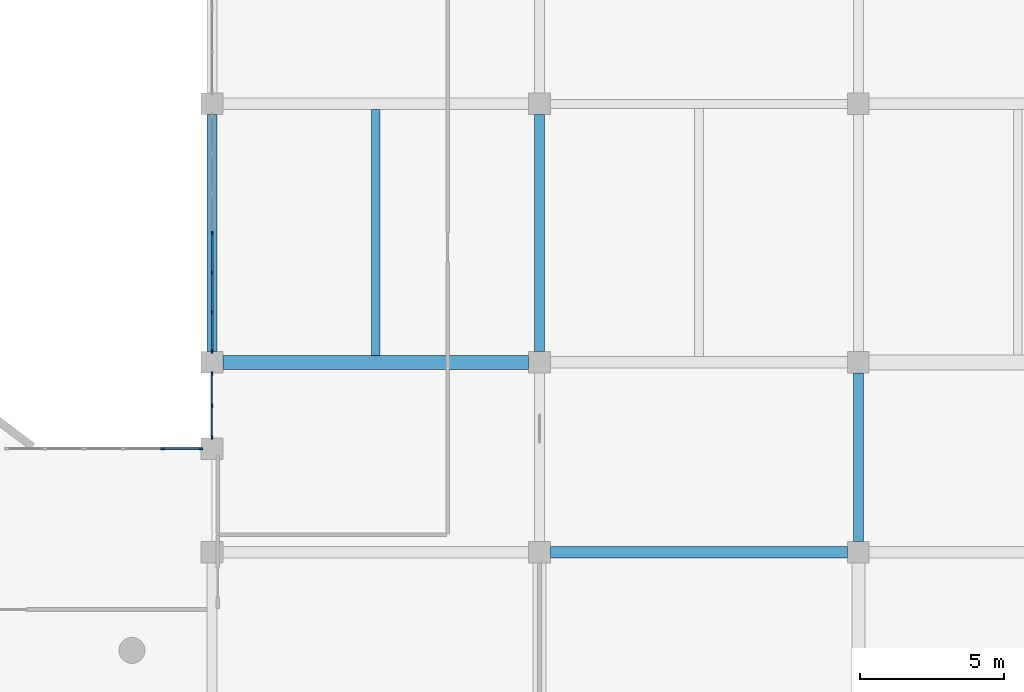
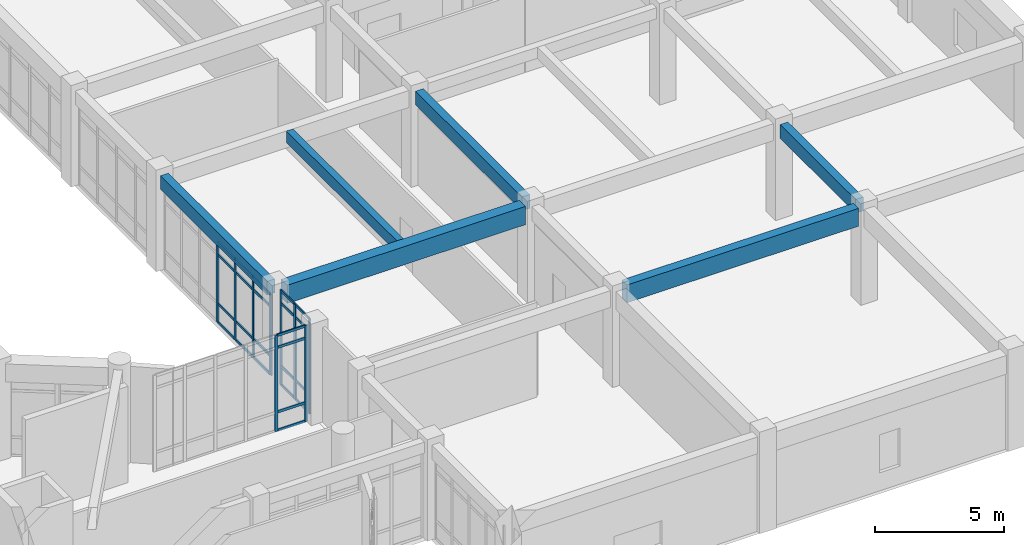
# One storey, part 26 of 68: 33 members, 6 beams, 3 elements without a shape of their own.
"""IFC4 building model written with IfcOpenShell, lengths in metres."""

import ifcopenshell
import ifcopenshell.guid

model = None  # the IFC model being written
_history = None  # IfcOwnerHistory: only IFC2X3 demands one
_inside = {}  # id of a spatial element -> (the spatial element, [elements in it])
_under = {}  # id of a project, library or spatial element -> (it, [spatial elements below it])
_declared = {}  # id of a project -> (the project, [libraries it declares])
_typed = {}  # id of a type object -> (the type object, [elements of that type])
_made_of = {}  # id of a material, layer set ... -> (it, [elements and type objects made of it])


def new_model(schema):
    """Start an empty IFC model of exactly this schema.

    Asked for "IFC4X3", IfcOpenShell would pick the latest addendum, in which some entities
    have other attributes; the version numbers below select the first issue.
    IFC2X3 requires an IfcOwnerHistory on every rooted entity: one is made here for all.
    """
    global model, _history
    if schema == "IFC4X3":
        model = ifcopenshell.file(schema_version=(4, 3, 0, 0))
    else:
        model = ifcopenshell.file(schema=schema)
    _inside.clear()
    _under.clear()
    _declared.clear()
    _typed.clear()
    _made_of.clear()
    _history = None
    if model.schema == "IFC2X3":
        org = make("IfcOrganization", Name="unknown")
        user = make(
            "IfcPersonAndOrganization",
            ThePerson=make("IfcPerson", FamilyName="unknown"),
            TheOrganization=org,
        )
        app = make(
            "IfcApplication",
            ApplicationDeveloper=org,
            Version="unknown",
            ApplicationFullName="unknown",
            ApplicationIdentifier="unknown",
        )
        _history = make(
            "IfcOwnerHistory",
            OwningUser=user,
            OwningApplication=app,
            ChangeAction="ADDED",
            CreationDate=0,
        )
    return model


def make(cls, **values):
    """One entity of the class cls with the attributes given. An attribute that is None is left unset."""
    return model.create_entity(
        cls, **{name: value for name, value in values.items() if value is not None}
    )


def rooted(cls, **values):
    """An entity with a GlobalId (a new one), such as an element, a storey or a relation."""
    return make(cls, GlobalId=ifcopenshell.guid.new(), OwnerHistory=_history, **values)


def si_unit(unit_type, name, prefix=None):
    """IfcSIUnit, for example si_unit("LENGTHUNIT", "METRE", prefix="MILLI")."""
    return make("IfcSIUnit", UnitType=unit_type, Prefix=prefix, Name=name)


def assignment(units):
    """IfcUnitAssignment: the units of a project."""
    return None if units is None else make("IfcUnitAssignment", Units=units)


def point(xyz):
    """IfcCartesianPoint."""
    return None if xyz is None else make("IfcCartesianPoint", Coordinates=xyz)


def direction(xyz):
    """IfcDirection."""
    return None if xyz is None else make("IfcDirection", DirectionRatios=xyz)


def frame(location, z_axis=None, x_axis=None):
    """IfcAxis2Placement3D, a coordinate frame: its origin and axes. An axis left out is left unset."""
    return make(
        "IfcAxis2Placement3D",
        Location=point(location),
        Axis=direction(z_axis),
        RefDirection=direction(x_axis),
    )


def frame_2d(location, x_axis=None):
    """IfcAxis2Placement2D, a coordinate frame in the plane: its origin and x axis."""
    return make(
        "IfcAxis2Placement2D", Location=point(location), RefDirection=direction(x_axis)
    )


def origin():
    """The frame at (0, 0, 0) with its axes left unset."""
    return frame((0.0, 0.0, 0.0))


def origin_2d():
    """The frame at (0, 0) in the plane with its x axis left unset."""
    return frame_2d((0.0, 0.0))


def place(relative_to, where):
    """IfcLocalPlacement: puts the frame where relative to a parent placement (None: the world)."""
    return make(
        "IfcLocalPlacement", PlacementRelTo=relative_to, RelativePlacement=where
    )


def context(
    kind, dimensions, precision=None, world=None, true_north=None, identifier=None
):
    """IfcGeometricRepresentationContext, for example the 3D "Model" context."""
    return make(
        "IfcGeometricRepresentationContext",
        ContextIdentifier=identifier,
        ContextType=kind,
        CoordinateSpaceDimension=dimensions,
        Precision=precision,
        WorldCoordinateSystem=world,
        TrueNorth=true_north,
    )


def subcontext(parent, identifier, kind, view, scale=None):
    """IfcGeometricRepresentationSubContext, for example "Body" below "Model"."""
    return make(
        "IfcGeometricRepresentationSubContext",
        ContextIdentifier=identifier,
        ContextType=kind,
        ParentContext=parent,
        TargetScale=scale,
        TargetView=view,
    )


def project(units=None, contexts=None):
    """IfcProject with its units and contexts."""
    return rooted(
        "IfcProject",
        Name="project",
        RepresentationContexts=contexts,
        UnitsInContext=assignment(units),
    )


def spatial(cls, under=None, at=None, **own):
    """A site, building, storey or space (cls), placed at a placement, below another one or the project."""
    s = rooted(cls, ObjectPlacement=at, **own)
    if under is not None:
        _under.setdefault(under.id(), (under, []))[1].append(s)
    return s


def profile(cls, at=None, kind="AREA", **sizes):
    """A parametric profile (cls). Its sizes go by their IFC names, for example OverallWidth=200.0."""
    return make(cls, ProfileType=kind, Position=at, **sizes)


def rectangle(**sizes):
    """IfcRectangleProfileDef."""
    return profile("IfcRectangleProfileDef", **sizes)


def extrude(swept, where, along, depth):
    """IfcExtrudedAreaSolid: the profile swept, set in the frame where, extruded along a direction by depth."""
    return make(
        "IfcExtrudedAreaSolid",
        SweptArea=swept,
        Position=where,
        ExtrudedDirection=direction(along),
        Depth=depth,
    )


def shape(context_of_items, identifier, shape_type, items):
    """IfcShapeRepresentation: the items that make up one representation, for example the "Body"."""
    return make(
        "IfcShapeRepresentation",
        ContextOfItems=context_of_items,
        RepresentationIdentifier=identifier,
        RepresentationType=shape_type,
        Items=items,
    )


def material(Name=None, Category=None):
    """IfcMaterial."""
    return make("IfcMaterial", Name=Name, Category=Category)


def layer(
    of_material, thickness, ventilated=None, Name=None, Category=None, Priority=None
):
    """IfcMaterialLayer: one layer of a wall or slab, of a material (None: an air gap)."""
    return make(
        "IfcMaterialLayer",
        Material=of_material,
        LayerThickness=thickness,
        IsVentilated=ventilated,
        Name=Name,
        Category=Category,
        Priority=Priority,
    )


def layer_set(layers, Name=None):
    """IfcMaterialLayerSet."""
    return make("IfcMaterialLayerSet", MaterialLayers=layers, LayerSetName=Name)


def material_profile(
    of_material, cross_section, Name=None, Category=None, Priority=None
):
    """IfcMaterialProfile: a cross section and its material."""
    return make(
        "IfcMaterialProfile",
        Name=Name,
        Material=of_material,
        Profile=cross_section,
        Priority=Priority,
        Category=Category,
    )


def profile_set(profiles, Name=None, composite=None):
    """IfcMaterialProfileSet."""
    return make(
        "IfcMaterialProfileSet",
        Name=Name,
        MaterialProfiles=profiles,
        CompositeProfile=composite,
    )


def made_of(thing, what):
    """Note that an element or type object is made of a material, layer set ...; save() writes the relation."""
    if what is not None:
        _made_of.setdefault(what.id(), (what, []))[1].append(thing)
    return thing


def type_object(cls, material=None, **own):
    """A type object (cls), such as IfcWallType, which elements share."""
    return made_of(rooted(cls, **own), material)


def element(
    cls,
    number,
    at=None,
    inside=None,
    cuts=None,
    type_object=None,
    material=None,
    context=None,
    identifier="Body",
    shape_type=None,
    held_by="IfcProductDefinitionShape",
    body=None,
    shapes=None,
    **own,
):
    """One element of the class cls, such as IfcWall. Its Tag is "e" and its number.

    at: its placement. inside: the storey or other place that contains it. cuts: it is an
    opening in that element (IfcRelVoidsElement). A single representation is given by context,
    identifier, shape_type and body (its items); several are given by shapes. held_by: the class
    of the entity that holds the representations. save() writes the other relations.
    """
    e = rooted(cls, Tag="e%d" % number, ObjectPlacement=at, **own)
    if body is not None:
        shapes = [shape(context, identifier, shape_type, body)]
    if shapes is not None:
        e.Representation = make(held_by, Representations=shapes)
    if inside is not None:
        _inside.setdefault(inside.id(), (inside, []))[1].append(e)
    if cuts is not None:
        rooted(
            "IfcRelVoidsElement", RelatingBuildingElement=cuts, RelatedOpeningElement=e
        )
    if type_object is not None:
        _typed.setdefault(type_object.id(), (type_object, []))[1].append(e)
    return made_of(e, material)


def aggregate(whole, parts):
    """IfcRelAggregates: a whole, such as a stair, and the parts it consists of."""
    return rooted("IfcRelAggregates", RelatingObject=whole, RelatedObjects=parts)


def save(model, path):
    """Write the relations noted so far, then the file.

    IfcRelAggregates (storeys below a building ...), IfcRelContainedInSpatialStructure (elements
    in a storey), IfcRelDefinesByType, IfcRelAssociatesMaterial and IfcRelDeclares: one each for
    every whole, place, type object, material and project.
    """
    for whole, parts in _under.values():
        aggregate(whole, parts)
    for where, things in _inside.values():
        rooted(
            "IfcRelContainedInSpatialStructure",
            RelatedElements=things,
            RelatingStructure=where,
        )
    for kind, things in _typed.values():
        rooted("IfcRelDefinesByType", RelatedObjects=things, RelatingType=kind)
    for what, things in _made_of.values():
        rooted("IfcRelAssociatesMaterial", RelatedObjects=things, RelatingMaterial=what)
    for by, libraries in _declared.values():
        rooted("IfcRelDeclares", RelatingContext=by, RelatedDefinitions=libraries)
    model.write(path)


model = new_model("IFC4")

# Units and contexts
model_context = context("Model", 3, precision=1e-05, world=origin(), true_north=direction((0.0, 1.0)))
body_context = subcontext(model_context, "Body", "Model", "MODEL_VIEW")
ifc_project = project(units=[si_unit("LENGTHUNIT", "METRE"), si_unit("AREAUNIT", "SQUARE_METRE"), si_unit("VOLUMEUNIT", "CUBIC_METRE"), si_unit("PLANEANGLEUNIT", "RADIAN"), si_unit("MASSUNIT", "GRAM", prefix="KILO")], contexts=[model_context])

# Site, building, storey
site_placement = place(None, origin())
site = spatial("IfcSite", under=ifc_project, at=site_placement, CompositionType="ELEMENT")
building_placement = place(site_placement, origin())
building = spatial("IfcBuilding", under=site, at=building_placement, Name="Miralva Faculty of Natural Sciences", CompositionType="ELEMENT")
storey_placement = place(building_placement, frame((0.0, 0.0, 5.39990234375)))
storey = spatial("IfcBuildingStorey", under=building, at=storey_placement, Name="L01", CompositionType="ELEMENT", Elevation=5.39990234375)

# Beams
ifc_material_1 = material(Name="Concrete C40/50", Category="concrete")
ifc_material_profile_1 = material_profile(ifc_material_1, rectangle(XDim=0.35009765625, YDim=0.64990234375, at=origin_2d()), Name="RC 350x650")
ifc_profile_set_1 = profile_set([ifc_material_profile_1], Name="Concrete C40/50")
beam_type_1 = type_object("IfcBeamType", Name="BM-B05", PredefinedType="BEAM", material=ifc_profile_set_1)
for number, where, z_axis, x_axis, name in (
    (1, (133.800048828125, 30.375, 4.155029296875), (0.0, 1.0, 0.0), (-1.0, 0.0, 0.0), "Girder NS L01-162"),
    (2, (145.199951171875, 30.375, 4.155029296875), (0.0, 1.0, 0.0), (-1.0, 0.0, 0.0), "Girder NS L01-169"),
):
    element("IfcBeam", number, at=place(storey_placement, frame(where, z_axis=z_axis, x_axis=x_axis)), inside=storey, type_object=beam_type_1, Name=name, PredefinedType="BEAM", context=body_context, shape_type="SweptSolid", body=[
        extrude(rectangle(XDim=0.35009765625, YDim=0.64990234375, at=origin_2d()), origin(), (0.0, 0.0, 1.0), 8.25),
    ])
beam_1_placement = place(storey_placement, frame((156.300048828125, 23.77490234375, 4.155029296875), z_axis=(0.0, 1.0, 0.0), x_axis=(-1.0, 0.0, 0.0)))
element("IfcBeam", 3, at=beam_1_placement, inside=storey, type_object=beam_type_1, Name="Girder NS L01-175", PredefinedType="BEAM", context=body_context, shape_type="SweptSolid", body=[
    extrude(rectangle(XDim=0.35009765625, YDim=0.64990234375, at=origin_2d()), origin(), (0.0, 0.0, 1.0), 5.85009765625),
])
ifc_material_profile_2 = material_profile(ifc_material_1, rectangle(XDim=0.39990234375, YDim=0.840087890625, at=origin_2d()), Name="RC 400x840")
ifc_profile_set_2 = profile_set([ifc_material_profile_2], Name="Concrete C40/50")
beam_type_2 = type_object("IfcBeamType", Name="BM-BG09", PredefinedType="BEAM", material=ifc_profile_set_2)
beam_2_placement = place(storey_placement, frame((145.574951171875, 23.39990234375, 4.06005859375), z_axis=(1.0, 0.0, 0.0), x_axis=(0.0, 1.0, 0.0)))
element("IfcBeam", 4, at=beam_2_placement, inside=storey, type_object=beam_type_2, Name="Girder EW L01-29", PredefinedType="BEAM", context=body_context, shape_type="SweptSolid", body=[
    extrude(rectangle(XDim=0.39990234375, YDim=0.840087890625, at=origin_2d()), origin(), (0.0, 0.0, 1.0), 10.35009765625),
])
ifc_material_profile_3 = material_profile(ifc_material_1, rectangle(XDim=0.47998046875, YDim=0.860107421875, at=origin_2d()), Name="RC 480x860")
ifc_profile_set_3 = profile_set([ifc_material_profile_3], Name="Concrete C40/50")
beam_type_3 = type_object("IfcBeamType", Name="BM-BG17", PredefinedType="BEAM", material=ifc_profile_set_3)
beam_3_placement = place(storey_placement, frame((134.175048828125, 30.0, 4.050048828125), z_axis=(1.0, 0.0, 0.0), x_axis=(0.0, 1.0, 0.0)))
element("IfcBeam", 5, at=beam_3_placement, inside=storey, type_object=beam_type_3, Name="Girder EW L01-37", PredefinedType="BEAM", context=body_context, shape_type="SweptSolid", body=[
    extrude(rectangle(XDim=0.47998046875, YDim=0.860107421875, at=origin_2d()), origin(), (0.0, 0.0, 1.0), 10.64990234375),
])
ifc_material_profile_4 = material_profile(ifc_material_1, rectangle(XDim=0.300048828125, YDim=0.550048828125, at=origin_2d()), Name="RC 300x550")
ifc_profile_set_4 = profile_set([ifc_material_profile_4], Name="Concrete C40/50")
beam_type_4 = type_object("IfcBeamType", Name="BM-J02", PredefinedType="JOIST", material=ifc_profile_set_4)
beam_4_placement = place(storey_placement, frame((139.5, 30.239990234375, 4.205078125), z_axis=(0.0, 1.0, 0.0), x_axis=(-1.0, 0.0, 0.0)))
element("IfcBeam", 6, at=beam_4_placement, inside=storey, type_object=beam_type_4, Name="Floor joist L01-9", PredefinedType="JOIST", context=body_context, shape_type="SweptSolid", body=[
    extrude(rectangle(XDim=0.300048828125, YDim=0.550048828125, at=origin_2d()), origin(), (0.0, 0.0, 1.0), 8.56005859375),
])

# Curtain wall, members
ifc_material_2 = material(Name="Laminated solar-control glass", Category="glass")
ifc_layer = layer(ifc_material_2, 0.179931640625, Name="CW-COM-L01")
ifc_layer_set = layer_set([ifc_layer], Name="Laminated solar-control glass")
curtain_wall_type = type_object("IfcCurtainWallType", Name="CW-COM-L01", PredefinedType="USERDEFINED", material=ifc_layer_set)
curtain_wall_1_placement = place(storey_placement, origin())
curtain_wall_1 = element("IfcCurtainWall", 7, at=curtain_wall_1_placement, inside=storey, type_object=curtain_wall_type, Name="Curtain wall CW-10 L01-262", ObjectType="UNITISED CURTAIN WALL", PredefinedType="USERDEFINED")
ifc_material_3 = material(Name="Anodised aluminium", Category="aluminium")
ifc_material_profile_5 = material_profile(ifc_material_3, rectangle(XDim=0.06005859375, YDim=0.139892578125, at=origin_2d()), Name="MULLION 60x140")
ifc_profile_set_5 = profile_set([ifc_material_profile_5], Name="Anodised aluminium")
member_type_1 = type_object("IfcMemberType", Name="CW-M03", PredefinedType="MULLION", material=ifc_profile_set_5)
member_1_placement = place(storey_placement, frame((133.800048828125, 27.39501953125, 0.0), z_axis=(0.0, 0.0, 1.0), x_axis=(-1.0, 0.0, 0.0)))
member_1 = element("IfcMember", 8, at=member_1_placement, type_object=member_type_1, Name="CW-10 mullion 1", PredefinedType="MULLION", context=body_context, shape_type="SweptSolid", body=[
    extrude(rectangle(XDim=0.06005859375, YDim=0.139892578125, at=origin_2d()), origin(), (0.0, 0.0, 1.0), 4.5),
])
member_2_placement = place(storey_placement, frame((133.800048828125, 28.5, 0.0), z_axis=(0.0, 0.0, 1.0), x_axis=(-1.0, 0.0, 0.0)))
member_2 = element("IfcMember", 9, at=member_2_placement, type_object=member_type_1, Name="CW-10 mullion 2", PredefinedType="MULLION", context=body_context, shape_type="SweptSolid", body=[
    extrude(rectangle(XDim=0.06005859375, YDim=0.139892578125, at=origin_2d()), origin(), (0.0, 0.0, 1.0), 4.5),
])
member_3_placement = place(storey_placement, frame((133.800048828125, 29.60498046875, 0.0), z_axis=(0.0, 0.0, 1.0), x_axis=(-1.0, 0.0, 0.0)))
member_3 = element("IfcMember", 10, at=member_3_placement, type_object=member_type_1, Name="CW-10 mullion 3", PredefinedType="MULLION", context=body_context, shape_type="SweptSolid", body=[
    extrude(rectangle(XDim=0.06005859375, YDim=0.139892578125, at=origin_2d()), origin(), (0.0, 0.0, 1.0), 4.5),
])

curtain_wall_2_placement = place(storey_placement, origin())
curtain_wall_2 = element("IfcCurtainWall", 11, at=curtain_wall_2_placement, inside=storey, type_object=curtain_wall_type, Name="Curtain wall CW-10 L01-263", ObjectType="UNITISED CURTAIN WALL", PredefinedType="USERDEFINED")
member_4_placement = place(storey_placement, frame((133.800048828125, 30.39501953125, 0.0), z_axis=(0.0, 0.0, 1.0), x_axis=(-1.0, 0.0, 0.0)))
member_4 = element("IfcMember", 12, at=member_4_placement, type_object=member_type_1, Name="CW-10 mullion 1", PredefinedType="MULLION", context=body_context, shape_type="SweptSolid", body=[
    extrude(rectangle(XDim=0.06005859375, YDim=0.139892578125, at=origin_2d()), origin(), (0.0, 0.0, 1.0), 3.8251953125),
])
member_5_placement = place(storey_placement, frame((133.800048828125, 31.743408203125, 0.0), z_axis=(0.0, 0.0, 1.0), x_axis=(-1.0, 0.0, 0.0)))
member_5 = element("IfcMember", 13, at=member_5_placement, type_object=member_type_1, Name="CW-10 mullion 2", PredefinedType="MULLION", context=body_context, shape_type="SweptSolid", body=[
    extrude(rectangle(XDim=0.06005859375, YDim=0.139892578125, at=origin_2d()), origin(), (0.0, 0.0, 1.0), 3.8251953125),
])
member_6_placement = place(storey_placement, frame((133.800048828125, 33.12158203125, 0.0), z_axis=(0.0, 0.0, 1.0), x_axis=(-1.0, 0.0, 0.0)))
member_6 = element("IfcMember", 14, at=member_6_placement, type_object=member_type_1, Name="CW-10 mullion 3", PredefinedType="MULLION", context=body_context, shape_type="SweptSolid", body=[
    extrude(rectangle(XDim=0.06005859375, YDim=0.139892578125, at=origin_2d()), origin(), (0.0, 0.0, 1.0), 3.8251953125),
])
member_7_placement = place(storey_placement, frame((133.800048828125, 34.5, 0.0), z_axis=(0.0, 0.0, 1.0), x_axis=(-1.0, 0.0, 0.0)))
member_7 = element("IfcMember", 15, at=member_7_placement, type_object=member_type_1, Name="CW-10 mullion 4", PredefinedType="MULLION", context=body_context, shape_type="SweptSolid", body=[
    extrude(rectangle(XDim=0.06005859375, YDim=0.139892578125, at=origin_2d()), origin(), (0.0, 0.0, 1.0), 3.8251953125),
])

curtain_wall_3_placement = place(storey_placement, origin())
curtain_wall_3 = element("IfcCurtainWall", 16, at=curtain_wall_3_placement, inside=storey, type_object=curtain_wall_type, Name="Curtain wall CW-10 L01-293", ObjectType="UNITISED CURTAIN WALL", PredefinedType="USERDEFINED")
member_8_placement = place(storey_placement, frame((132.080078125, 27.0, 0.0), z_axis=(0.0, 0.0, 1.0), x_axis=(0.0, 1.0, 0.0)))
member_8 = element("IfcMember", 17, at=member_8_placement, type_object=member_type_1, Name="CW-10 mullion 5", PredefinedType="MULLION", context=body_context, shape_type="SweptSolid", body=[
    extrude(rectangle(XDim=0.06005859375, YDim=0.139892578125, at=origin_2d()), origin(), (0.0, 0.0, 1.0), 4.550048828125),
])
member_9_placement = place(storey_placement, frame((133.4150390625, 27.0, 0.0), z_axis=(0.0, 0.0, 1.0), x_axis=(0.0, 1.0, 0.0)))
member_9 = element("IfcMember", 18, at=member_9_placement, type_object=member_type_1, Name="CW-10 mullion 6", PredefinedType="MULLION", context=body_context, shape_type="SweptSolid", body=[
    extrude(rectangle(XDim=0.06005859375, YDim=0.139892578125, at=origin_2d()), origin(), (0.0, 0.0, 1.0), 4.550048828125),
])

# Member
ifc_material_profile_6 = material_profile(ifc_material_3, rectangle(XDim=0.06005859375, YDim=0.1201171875, at=origin_2d()), Name="TRANSOM 60x120")
ifc_profile_set_6 = profile_set([ifc_material_profile_6], Name="Anodised aluminium")
member_type_2 = type_object("IfcMemberType", Name="CW-T02", PredefinedType="USERDEFINED", material=ifc_profile_set_6)
member_10_placement = place(storey_placement, frame((133.800048828125, 27.425048828125, 0.030029296875), z_axis=(0.0, 1.0, 0.0), x_axis=(-1.0, 0.0, 0.0)))
member_10 = element("IfcMember", 19, at=member_10_placement, type_object=member_type_2, Name="CW-10 transom 1.1", ObjectType="TRANSOM", PredefinedType="USERDEFINED", context=body_context, shape_type="SweptSolid", body=[
    extrude(rectangle(XDim=0.06005859375, YDim=0.1201171875, at=origin_2d()), origin(), (0.0, 0.0, 1.0), 1.044921875),
])

member_11_placement = place(storey_placement, frame((133.800048828125, 27.425048828125, 0.900146484375), z_axis=(0.0, 1.0, 0.0), x_axis=(-1.0, 0.0, 0.0)))
member_11 = element("IfcMember", 20, at=member_11_placement, type_object=member_type_2, Name="CW-10 transom 1.2", ObjectType="TRANSOM", PredefinedType="USERDEFINED", context=body_context, shape_type="SweptSolid", body=[
    extrude(rectangle(XDim=0.06005859375, YDim=0.1201171875, at=origin_2d()), origin(), (0.0, 0.0, 1.0), 1.044921875),
])

member_12_placement = place(storey_placement, frame((133.800048828125, 27.425048828125, 3.900146484375), z_axis=(0.0, 1.0, 0.0), x_axis=(-1.0, 0.0, 0.0)))
member_12 = element("IfcMember", 21, at=member_12_placement, type_object=member_type_2, Name="CW-10 transom 1.3", ObjectType="TRANSOM", PredefinedType="USERDEFINED", context=body_context, shape_type="SweptSolid", body=[
    extrude(rectangle(XDim=0.06005859375, YDim=0.1201171875, at=origin_2d()), origin(), (0.0, 0.0, 1.0), 1.044921875),
])

member_13_placement = place(storey_placement, frame((133.800048828125, 27.425048828125, 4.47021484375), z_axis=(0.0, 1.0, 0.0), x_axis=(-1.0, 0.0, 0.0)))
member_13 = element("IfcMember", 22, at=member_13_placement, type_object=member_type_2, Name="CW-10 transom 1.4", ObjectType="TRANSOM", PredefinedType="USERDEFINED", context=body_context, shape_type="SweptSolid", body=[
    extrude(rectangle(XDim=0.06005859375, YDim=0.1201171875, at=origin_2d()), origin(), (0.0, 0.0, 1.0), 1.044921875),
])

member_14_placement = place(storey_placement, frame((133.800048828125, 28.530029296875, 0.030029296875), z_axis=(0.0, 1.0, 0.0), x_axis=(-1.0, 0.0, 0.0)))
member_14 = element("IfcMember", 23, at=member_14_placement, type_object=member_type_2, Name="CW-10 transom 2.1", ObjectType="TRANSOM", PredefinedType="USERDEFINED", context=body_context, shape_type="SweptSolid", body=[
    extrude(rectangle(XDim=0.06005859375, YDim=0.1201171875, at=origin_2d()), origin(), (0.0, 0.0, 1.0), 1.044921875),
])

member_15_placement = place(storey_placement, frame((133.800048828125, 28.530029296875, 0.900146484375), z_axis=(0.0, 1.0, 0.0), x_axis=(-1.0, 0.0, 0.0)))
member_15 = element("IfcMember", 24, at=member_15_placement, type_object=member_type_2, Name="CW-10 transom 2.2", ObjectType="TRANSOM", PredefinedType="USERDEFINED", context=body_context, shape_type="SweptSolid", body=[
    extrude(rectangle(XDim=0.06005859375, YDim=0.1201171875, at=origin_2d()), origin(), (0.0, 0.0, 1.0), 1.044921875),
])

member_16_placement = place(storey_placement, frame((133.800048828125, 28.530029296875, 3.900146484375), z_axis=(0.0, 1.0, 0.0), x_axis=(-1.0, 0.0, 0.0)))
member_16 = element("IfcMember", 25, at=member_16_placement, type_object=member_type_2, Name="CW-10 transom 2.3", ObjectType="TRANSOM", PredefinedType="USERDEFINED", context=body_context, shape_type="SweptSolid", body=[
    extrude(rectangle(XDim=0.06005859375, YDim=0.1201171875, at=origin_2d()), origin(), (0.0, 0.0, 1.0), 1.044921875),
])

member_17_placement = place(storey_placement, frame((133.800048828125, 28.530029296875, 4.47021484375), z_axis=(0.0, 1.0, 0.0), x_axis=(-1.0, 0.0, 0.0)))
member_17 = element("IfcMember", 26, at=member_17_placement, type_object=member_type_2, Name="CW-10 transom 2.4", ObjectType="TRANSOM", PredefinedType="USERDEFINED", context=body_context, shape_type="SweptSolid", body=[
    extrude(rectangle(XDim=0.06005859375, YDim=0.1201171875, at=origin_2d()), origin(), (0.0, 0.0, 1.0), 1.044921875),
])

aggregate(curtain_wall_1, [member_1, member_2, member_3, member_10, member_11, member_12, member_13, member_14, member_15, member_16, member_17])

member_18_placement = place(storey_placement, frame((133.800048828125, 30.425048828125, 0.030029296875), z_axis=(0.0, 1.0, 0.0), x_axis=(-1.0, 0.0, 0.0)))
member_18 = element("IfcMember", 27, at=member_18_placement, type_object=member_type_2, Name="CW-10 transom 1.1", ObjectType="TRANSOM", PredefinedType="USERDEFINED", context=body_context, shape_type="SweptSolid", body=[
    extrude(rectangle(XDim=0.06005859375, YDim=0.1201171875, at=origin_2d()), origin(), (0.0, 0.0, 1.0), 1.288330078125),
])

member_19_placement = place(storey_placement, frame((133.800048828125, 30.425048828125, 0.900146484375), z_axis=(0.0, 1.0, 0.0), x_axis=(-1.0, 0.0, 0.0)))
member_19 = element("IfcMember", 28, at=member_19_placement, type_object=member_type_2, Name="CW-10 transom 1.2", ObjectType="TRANSOM", PredefinedType="USERDEFINED", context=body_context, shape_type="SweptSolid", body=[
    extrude(rectangle(XDim=0.06005859375, YDim=0.1201171875, at=origin_2d()), origin(), (0.0, 0.0, 1.0), 1.288330078125),
])

member_20_placement = place(storey_placement, frame((133.800048828125, 30.425048828125, 3.22509765625), z_axis=(0.0, 1.0, 0.0), x_axis=(-1.0, 0.0, 0.0)))
member_20 = element("IfcMember", 29, at=member_20_placement, type_object=member_type_2, Name="CW-10 transom 1.3", ObjectType="TRANSOM", PredefinedType="USERDEFINED", context=body_context, shape_type="SweptSolid", body=[
    extrude(rectangle(XDim=0.06005859375, YDim=0.1201171875, at=origin_2d()), origin(), (0.0, 0.0, 1.0), 1.288330078125),
])

member_21_placement = place(storey_placement, frame((133.800048828125, 30.425048828125, 3.795166015625), z_axis=(0.0, 1.0, 0.0), x_axis=(-1.0, 0.0, 0.0)))
member_21 = element("IfcMember", 30, at=member_21_placement, type_object=member_type_2, Name="CW-10 transom 1.4", ObjectType="TRANSOM", PredefinedType="USERDEFINED", context=body_context, shape_type="SweptSolid", body=[
    extrude(rectangle(XDim=0.06005859375, YDim=0.1201171875, at=origin_2d()), origin(), (0.0, 0.0, 1.0), 1.288330078125),
])

member_22_placement = place(storey_placement, frame((133.800048828125, 31.7734375, 0.030029296875), z_axis=(0.0, 1.0, 0.0), x_axis=(-1.0, 0.0, 0.0)))
member_22 = element("IfcMember", 31, at=member_22_placement, type_object=member_type_2, Name="CW-10 transom 2.1", ObjectType="TRANSOM", PredefinedType="USERDEFINED", context=body_context, shape_type="SweptSolid", body=[
    extrude(rectangle(XDim=0.06005859375, YDim=0.1201171875, at=origin_2d()), origin(), (0.0, 0.0, 1.0), 1.318115234375),
])

member_23_placement = place(storey_placement, frame((133.800048828125, 31.7734375, 0.900146484375), z_axis=(0.0, 1.0, 0.0), x_axis=(-1.0, 0.0, 0.0)))
member_23 = element("IfcMember", 32, at=member_23_placement, type_object=member_type_2, Name="CW-10 transom 2.2", ObjectType="TRANSOM", PredefinedType="USERDEFINED", context=body_context, shape_type="SweptSolid", body=[
    extrude(rectangle(XDim=0.06005859375, YDim=0.1201171875, at=origin_2d()), origin(), (0.0, 0.0, 1.0), 1.318115234375),
])

member_24_placement = place(storey_placement, frame((133.800048828125, 31.7734375, 3.22509765625), z_axis=(0.0, 1.0, 0.0), x_axis=(-1.0, 0.0, 0.0)))
member_24 = element("IfcMember", 33, at=member_24_placement, type_object=member_type_2, Name="CW-10 transom 2.3", ObjectType="TRANSOM", PredefinedType="USERDEFINED", context=body_context, shape_type="SweptSolid", body=[
    extrude(rectangle(XDim=0.06005859375, YDim=0.1201171875, at=origin_2d()), origin(), (0.0, 0.0, 1.0), 1.318115234375),
])

member_25_placement = place(storey_placement, frame((133.800048828125, 31.7734375, 3.795166015625), z_axis=(0.0, 1.0, 0.0), x_axis=(-1.0, 0.0, 0.0)))
member_25 = element("IfcMember", 34, at=member_25_placement, type_object=member_type_2, Name="CW-10 transom 2.4", ObjectType="TRANSOM", PredefinedType="USERDEFINED", context=body_context, shape_type="SweptSolid", body=[
    extrude(rectangle(XDim=0.06005859375, YDim=0.1201171875, at=origin_2d()), origin(), (0.0, 0.0, 1.0), 1.318115234375),
])

member_26_placement = place(storey_placement, frame((133.800048828125, 33.151611328125, 0.030029296875), z_axis=(0.0, 1.0, 0.0), x_axis=(-1.0, 0.0, 0.0)))
member_26 = element("IfcMember", 35, at=member_26_placement, type_object=member_type_2, Name="CW-10 transom 3.1", ObjectType="TRANSOM", PredefinedType="USERDEFINED", context=body_context, shape_type="SweptSolid", body=[
    extrude(rectangle(XDim=0.06005859375, YDim=0.1201171875, at=origin_2d()), origin(), (0.0, 0.0, 1.0), 1.318359375),
])

member_27_placement = place(storey_placement, frame((133.800048828125, 33.151611328125, 0.900146484375), z_axis=(0.0, 1.0, 0.0), x_axis=(-1.0, 0.0, 0.0)))
member_27 = element("IfcMember", 36, at=member_27_placement, type_object=member_type_2, Name="CW-10 transom 3.2", ObjectType="TRANSOM", PredefinedType="USERDEFINED", context=body_context, shape_type="SweptSolid", body=[
    extrude(rectangle(XDim=0.06005859375, YDim=0.1201171875, at=origin_2d()), origin(), (0.0, 0.0, 1.0), 1.318359375),
])

member_28_placement = place(storey_placement, frame((133.800048828125, 33.151611328125, 3.22509765625), z_axis=(0.0, 1.0, 0.0), x_axis=(-1.0, 0.0, 0.0)))
member_28 = element("IfcMember", 37, at=member_28_placement, type_object=member_type_2, Name="CW-10 transom 3.3", ObjectType="TRANSOM", PredefinedType="USERDEFINED", context=body_context, shape_type="SweptSolid", body=[
    extrude(rectangle(XDim=0.06005859375, YDim=0.1201171875, at=origin_2d()), origin(), (0.0, 0.0, 1.0), 1.318359375),
])

member_29_placement = place(storey_placement, frame((133.800048828125, 33.151611328125, 3.795166015625), z_axis=(0.0, 1.0, 0.0), x_axis=(-1.0, 0.0, 0.0)))
member_29 = element("IfcMember", 38, at=member_29_placement, type_object=member_type_2, Name="CW-10 transom 3.4", ObjectType="TRANSOM", PredefinedType="USERDEFINED", context=body_context, shape_type="SweptSolid", body=[
    extrude(rectangle(XDim=0.06005859375, YDim=0.1201171875, at=origin_2d()), origin(), (0.0, 0.0, 1.0), 1.318359375),
])

aggregate(curtain_wall_2, [member_4, member_5, member_6, member_7, member_18, member_19, member_20, member_21, member_22, member_23, member_24, member_25, member_26, member_27, member_28, member_29])

member_30_placement = place(storey_placement, frame((132.110107421875, 27.0, 0.030029296875), z_axis=(1.0, 0.0, 0.0), x_axis=(0.0, 1.0, 0.0)))
member_30 = element("IfcMember", 39, at=member_30_placement, type_object=member_type_2, Name="CW-10 transom 5.1", ObjectType="TRANSOM", PredefinedType="USERDEFINED", context=body_context, shape_type="SweptSolid", body=[
    extrude(rectangle(XDim=0.06005859375, YDim=0.1201171875, at=origin_2d()), origin(), (0.0, 0.0, 1.0), 1.27490234375),
])

member_31_placement = place(storey_placement, frame((132.110107421875, 27.0, 0.900146484375), z_axis=(1.0, 0.0, 0.0), x_axis=(0.0, 1.0, 0.0)))
member_31 = element("IfcMember", 40, at=member_31_placement, type_object=member_type_2, Name="CW-10 transom 5.2", ObjectType="TRANSOM", PredefinedType="USERDEFINED", context=body_context, shape_type="SweptSolid", body=[
    extrude(rectangle(XDim=0.06005859375, YDim=0.1201171875, at=origin_2d()), origin(), (0.0, 0.0, 1.0), 1.27490234375),
])

member_32_placement = place(storey_placement, frame((132.110107421875, 27.0, 3.9501953125), z_axis=(1.0, 0.0, 0.0), x_axis=(0.0, 1.0, 0.0)))
member_32 = element("IfcMember", 41, at=member_32_placement, type_object=member_type_2, Name="CW-10 transom 5.3", ObjectType="TRANSOM", PredefinedType="USERDEFINED", context=body_context, shape_type="SweptSolid", body=[
    extrude(rectangle(XDim=0.06005859375, YDim=0.1201171875, at=origin_2d()), origin(), (0.0, 0.0, 1.0), 1.27490234375),
])

member_33_placement = place(storey_placement, frame((132.110107421875, 27.0, 4.52001953125), z_axis=(1.0, 0.0, 0.0), x_axis=(0.0, 1.0, 0.0)))
member_33 = element("IfcMember", 42, at=member_33_placement, type_object=member_type_2, Name="CW-10 transom 5.4", ObjectType="TRANSOM", PredefinedType="USERDEFINED", context=body_context, shape_type="SweptSolid", body=[
    extrude(rectangle(XDim=0.06005859375, YDim=0.1201171875, at=origin_2d()), origin(), (0.0, 0.0, 1.0), 1.27490234375),
])

aggregate(curtain_wall_3, [member_8, member_9, member_30, member_31, member_32, member_33])

save(model, "model.ifc")
